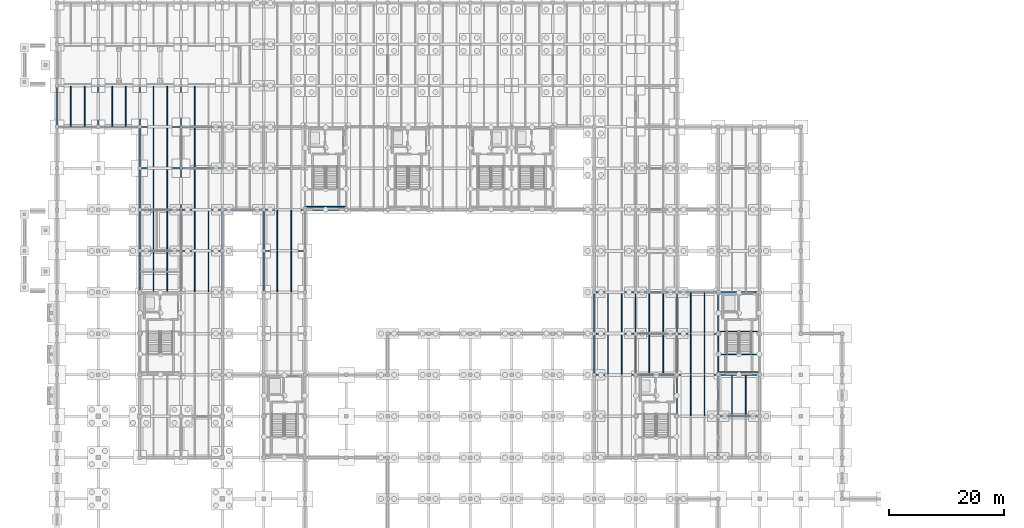
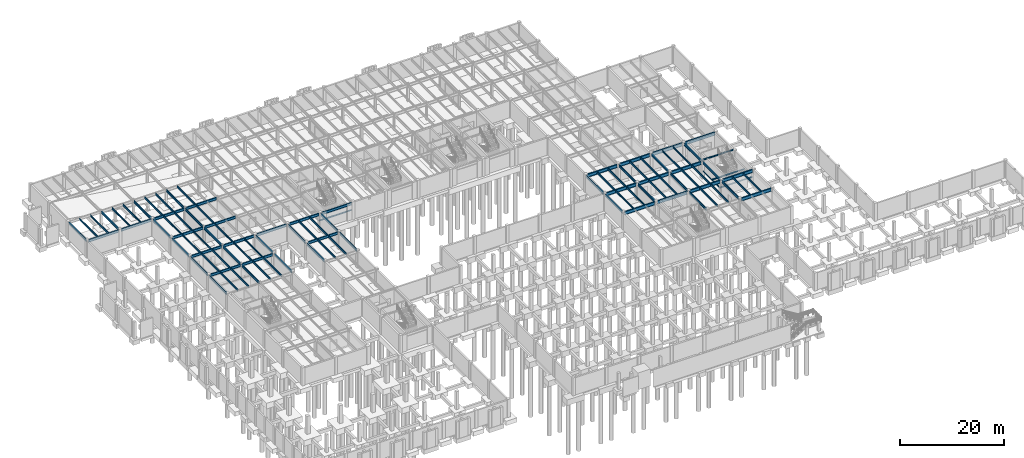
# One storey, part 24 of 46: 100 beams.
"""IFC4 building model written with IfcOpenShell, lengths in metres."""

from ifc_helpers import new_model, si_unit, direction, frame, origin, origin_2d, place, context, subcontext, project, spatial, i_section, extrude, material, material_profile, profile_set, type_object, element, save


model = new_model("IFC4")

# Units and contexts
model_context = context("Model", 3, precision=1e-05, world=origin(), true_north=direction((0.0, 1.0)))
body_context = subcontext(model_context, "Body", "Model", "MODEL_VIEW")
ifc_project = project(units=[si_unit("LENGTHUNIT", "METRE"), si_unit("AREAUNIT", "SQUARE_METRE"), si_unit("VOLUMEUNIT", "CUBIC_METRE"), si_unit("PLANEANGLEUNIT", "RADIAN"), si_unit("MASSUNIT", "GRAM", prefix="KILO")], contexts=[model_context])

# Site, building, storey
site_placement = place(None, origin())
site = spatial("IfcSite", under=ifc_project, at=site_placement, CompositionType="ELEMENT")
building_placement = place(site_placement, origin())
building = spatial("IfcBuilding", under=site, at=building_placement, Name="Sillqori Civic Hall", CompositionType="ELEMENT")
storey_placement = place(building_placement, frame((0.0, 0.0, -4.199951171875)))
storey = spatial("IfcBuildingStorey", under=building, at=storey_placement, Name="B01", CompositionType="ELEMENT", Elevation=-4.199951171875)

# Beams
ifc_material = material(Name="Steel ASTM A992", Category="steel")
ifc_material_profile_1 = material_profile(ifc_material, i_section(OverallWidth=0.2099609375, OverallDepth=0.532958984375, WebThickness=0.01025390625, FlangeThickness=0.015625, FilletRadius=0.013916015625, at=origin_2d()), Name="W21X62")
ifc_profile_set_1 = profile_set([ifc_material_profile_1], Name="Steel ASTM A992")
beam_type_1 = type_object("IfcBeamType", Name="BM-W21X62", PredefinedType="BEAM", material=ifc_profile_set_1)
beam_1_placement = place(storey_placement, frame((7.199951171875, 93.89404296875, 3.71337890625), z_axis=(0.0, 1.0, 0.0), x_axis=(-1.0, 0.0, 0.0)))
element("IfcBeam", 1, at=beam_1_placement, inside=storey, type_object=beam_type_1, Name="B01 girder Y 1-13", PredefinedType="BEAM", context=body_context, shape_type="SweptSolid", body=[
    extrude(i_section(OverallWidth=0.2099609375, OverallDepth=0.532958984375, WebThickness=0.01025390625, FlangeThickness=0.015625, FilletRadius=0.013916015625, at=origin_2d()), origin(), (0.0, 0.0, 1.0), 6.612060546875),
])
beam_2_placement = place(storey_placement, frame((14.39990234375, 93.89404296875, 3.71337890625), z_axis=(0.0, 1.0, 0.0), x_axis=(-1.0, 0.0, 0.0)))
element("IfcBeam", 2, at=beam_2_placement, inside=storey, type_object=beam_type_1, Name="B01 girder Y 2-13", PredefinedType="BEAM", context=body_context, shape_type="SweptSolid", body=[
    extrude(i_section(OverallWidth=0.2099609375, OverallDepth=0.532958984375, WebThickness=0.01025390625, FlangeThickness=0.015625, FilletRadius=0.013916015625, at=origin_2d()), origin(), (0.0, 0.0, 1.0), 6.7314453125),
])
for number, where, z_axis, x_axis, name in (
    (3, (21.60009765625, 65.093994140625, 3.71337890625), (0.0, 1.0, 0.0), (-1.0, 0.0, 0.0), "B01 girder Y 3-9"),
    (4, (21.60009765625, 72.2939453125, 3.71337890625), (0.0, 1.0, 0.0), (-1.0, 0.0, 0.0), "B01 girder Y 3-10"),
    (5, (21.60009765625, 79.493896484375, 3.71337890625), (0.0, 1.0, 0.0), (-1.0, 0.0, 0.0), "B01 girder Y 3-11"),
):
    element("IfcBeam", number, at=place(storey_placement, frame(where, z_axis=z_axis, x_axis=x_axis)), inside=storey, type_object=beam_type_1, Name=name, PredefinedType="BEAM", context=body_context, shape_type="SweptSolid", body=[
        extrude(i_section(OverallWidth=0.2099609375, OverallDepth=0.532958984375, WebThickness=0.01025390625, FlangeThickness=0.015625, FilletRadius=0.013916015625, at=origin_2d()), origin(), (0.0, 0.0, 1.0), 6.612060546875),
    ])
beam_3_placement = place(storey_placement, frame((21.60009765625, 86.694091796875, 3.71337890625), z_axis=(0.0, 1.0, 0.0), x_axis=(-1.0, 0.0, 0.0)))
element("IfcBeam", 6, at=beam_3_placement, inside=storey, type_object=beam_type_1, Name="B01 girder Y 3-12", PredefinedType="BEAM", context=body_context, shape_type="SweptSolid", body=[
    extrude(i_section(OverallWidth=0.2099609375, OverallDepth=0.532958984375, WebThickness=0.01025390625, FlangeThickness=0.015625, FilletRadius=0.013916015625, at=origin_2d()), origin(), (0.0, 0.0, 1.0), 6.61181640625),
])
beam_4_placement = place(storey_placement, frame((21.60009765625, 93.89404296875, 3.71337890625), z_axis=(0.0, 1.0, 0.0), x_axis=(-1.0, 0.0, 0.0)))
element("IfcBeam", 7, at=beam_4_placement, inside=storey, type_object=beam_type_1, Name="B01 girder Y 3-13", PredefinedType="BEAM", context=body_context, shape_type="SweptSolid", body=[
    extrude(i_section(OverallWidth=0.2099609375, OverallDepth=0.532958984375, WebThickness=0.01025390625, FlangeThickness=0.015625, FilletRadius=0.013916015625, at=origin_2d()), origin(), (0.0, 0.0, 1.0), 6.7314453125),
])
for number, where, z_axis, x_axis, name in (
    (8, (28.800048828125, 64.990966796875, 3.71337890625), (0.0, 1.0, 0.0), (-1.0, 0.0, 0.0), "B01 girder Y 4-9"),
    (9, (28.800048828125, 72.19091796875, 3.71337890625), (0.0, 1.0, 0.0), (-1.0, 0.0, 0.0), "B01 girder Y 4-10"),
):
    element("IfcBeam", number, at=place(storey_placement, frame(where, z_axis=z_axis, x_axis=x_axis)), inside=storey, type_object=beam_type_1, Name=name, PredefinedType="BEAM", context=body_context, shape_type="SweptSolid", body=[
        extrude(i_section(OverallWidth=0.2099609375, OverallDepth=0.532958984375, WebThickness=0.01025390625, FlangeThickness=0.015625, FilletRadius=0.013916015625, at=origin_2d()), origin(), (0.0, 0.0, 1.0), 6.818115234375),
    ])
beam_5_placement = place(storey_placement, frame((28.800048828125, 79.39111328125, 3.71337890625), z_axis=(0.0, 1.0, 0.0), x_axis=(-1.0, 0.0, 0.0)))
element("IfcBeam", 10, at=beam_5_placement, inside=storey, type_object=beam_type_1, Name="B01 girder Y 4-11", PredefinedType="BEAM", context=body_context, shape_type="SweptSolid", body=[
    extrude(i_section(OverallWidth=0.2099609375, OverallDepth=0.532958984375, WebThickness=0.01025390625, FlangeThickness=0.015625, FilletRadius=0.013916015625, at=origin_2d()), origin(), (0.0, 0.0, 1.0), 6.82177734375),
])
beam_6_placement = place(storey_placement, frame((28.800048828125, 86.5869140625, 3.71337890625), z_axis=(0.0, 1.0, 0.0), x_axis=(-1.0, 0.0, 0.0)))
element("IfcBeam", 11, at=beam_6_placement, inside=storey, type_object=beam_type_1, Name="B01 girder Y 4-12", PredefinedType="BEAM", context=body_context, shape_type="SweptSolid", body=[
    extrude(i_section(OverallWidth=0.2099609375, OverallDepth=0.532958984375, WebThickness=0.01025390625, FlangeThickness=0.015625, FilletRadius=0.013916015625, at=origin_2d()), origin(), (0.0, 0.0, 1.0), 6.826171875),
])
beam_7_placement = place(storey_placement, frame((28.800048828125, 93.787109375, 3.71337890625), z_axis=(0.0, 1.0, 0.0), x_axis=(-1.0, 0.0, 0.0)))
element("IfcBeam", 12, at=beam_7_placement, inside=storey, type_object=beam_type_1, Name="B01 girder Y 4-13", PredefinedType="BEAM", context=body_context, shape_type="SweptSolid", body=[
    extrude(i_section(OverallWidth=0.2099609375, OverallDepth=0.532958984375, WebThickness=0.01025390625, FlangeThickness=0.015625, FilletRadius=0.013916015625, at=origin_2d()), origin(), (0.0, 0.0, 1.0), 6.83837890625),
])
for number, where, z_axis, x_axis, name in (
    (13, (36.0, 65.093994140625, 3.71337890625), (0.0, 1.0, 0.0), (-1.0, 0.0, 0.0), "B01 girder Y 5-9"),
    (14, (36.0, 72.2939453125, 3.71337890625), (0.0, 1.0, 0.0), (-1.0, 0.0, 0.0), "B01 girder Y 5-10"),
    (15, (43.199951171875, 65.093994140625, 3.71337890625), (0.0, 1.0, 0.0), (-1.0, 0.0, 0.0), "B01 girder Y 6-9"),
    (16, (43.199951171875, 72.2939453125, 3.71337890625), (0.0, 1.0, 0.0), (-1.0, 0.0, 0.0), "B01 girder Y 6-10"),
    (17, (50.39990234375, 65.093994140625, 3.71337890625), (0.0, 1.0, 0.0), (-1.0, 0.0, 0.0), "B01 girder Y 7-9"),
    (18, (50.39990234375, 72.2939453125, 3.71337890625), (0.0, 1.0, 0.0), (-1.0, 0.0, 0.0), "B01 girder Y 7-10"),
):
    element("IfcBeam", number, at=place(storey_placement, frame(where, z_axis=z_axis, x_axis=x_axis)), inside=storey, type_object=beam_type_1, Name=name, PredefinedType="BEAM", context=body_context, shape_type="SweptSolid", body=[
        extrude(i_section(OverallWidth=0.2099609375, OverallDepth=0.532958984375, WebThickness=0.01025390625, FlangeThickness=0.015625, FilletRadius=0.013916015625, at=origin_2d()), origin(), (0.0, 0.0, 1.0), 6.612060546875),
    ])
beam_8_placement = place(storey_placement, frame((100.800048828125, 50.694091796875, 3.71337890625), z_axis=(0.0, 1.0, 0.0), x_axis=(-1.0, 0.0, 0.0)))
element("IfcBeam", 19, at=beam_8_placement, inside=storey, type_object=beam_type_1, Name="B01 girder Y 14-7", PredefinedType="BEAM", context=body_context, shape_type="SweptSolid", body=[
    extrude(i_section(OverallWidth=0.2099609375, OverallDepth=0.532958984375, WebThickness=0.01025390625, FlangeThickness=0.015625, FilletRadius=0.013916015625, at=origin_2d()), origin(), (0.0, 0.0, 1.0), 6.61181640625),
])
beam_9_placement = place(storey_placement, frame((100.800048828125, 57.89404296875, 3.71337890625), z_axis=(0.0, 1.0, 0.0), x_axis=(-1.0, 0.0, 0.0)))
element("IfcBeam", 20, at=beam_9_placement, inside=storey, type_object=beam_type_1, Name="B01 girder Y 14-8", PredefinedType="BEAM", context=body_context, shape_type="SweptSolid", body=[
    extrude(i_section(OverallWidth=0.2099609375, OverallDepth=0.532958984375, WebThickness=0.01025390625, FlangeThickness=0.015625, FilletRadius=0.013916015625, at=origin_2d()), origin(), (0.0, 0.0, 1.0), 6.612060546875),
])
beam_10_placement = place(storey_placement, frame((108.0, 50.694091796875, 3.71337890625), z_axis=(0.0, 1.0, 0.0), x_axis=(-1.0, 0.0, 0.0)))
element("IfcBeam", 21, at=beam_10_placement, inside=storey, type_object=beam_type_1, Name="B01 girder Y 15-7", PredefinedType="BEAM", context=body_context, shape_type="SweptSolid", body=[
    extrude(i_section(OverallWidth=0.2099609375, OverallDepth=0.532958984375, WebThickness=0.01025390625, FlangeThickness=0.015625, FilletRadius=0.013916015625, at=origin_2d()), origin(), (0.0, 0.0, 1.0), 6.61181640625),
])
for number, where, z_axis, x_axis, name in (
    (22, (108.0, 57.89404296875, 3.71337890625), (0.0, 1.0, 0.0), (-1.0, 0.0, 0.0), "B01 girder Y 15-8"),
    (23, (115.199951171875, 43.493896484375, 3.71337890625), (0.0, 1.0, 0.0), (-1.0, 0.0, 0.0), "B01 girder Y 16-6"),
):
    element("IfcBeam", number, at=place(storey_placement, frame(where, z_axis=z_axis, x_axis=x_axis)), inside=storey, type_object=beam_type_1, Name=name, PredefinedType="BEAM", context=body_context, shape_type="SweptSolid", body=[
        extrude(i_section(OverallWidth=0.2099609375, OverallDepth=0.532958984375, WebThickness=0.01025390625, FlangeThickness=0.015625, FilletRadius=0.013916015625, at=origin_2d()), origin(), (0.0, 0.0, 1.0), 6.612060546875),
    ])
beam_11_placement = place(storey_placement, frame((115.199951171875, 50.694091796875, 3.71337890625), z_axis=(0.0, 1.0, 0.0), x_axis=(-1.0, 0.0, 0.0)))
element("IfcBeam", 24, at=beam_11_placement, inside=storey, type_object=beam_type_1, Name="B01 girder Y 16-7", PredefinedType="BEAM", context=body_context, shape_type="SweptSolid", body=[
    extrude(i_section(OverallWidth=0.2099609375, OverallDepth=0.532958984375, WebThickness=0.01025390625, FlangeThickness=0.015625, FilletRadius=0.013916015625, at=origin_2d()), origin(), (0.0, 0.0, 1.0), 6.61181640625),
])
for number, where, z_axis, x_axis, name in (
    (25, (115.199951171875, 57.89404296875, 3.71337890625), (0.0, 1.0, 0.0), (-1.0, 0.0, 0.0), "B01 girder Y 16-8"),
    (26, (122.39990234375, 43.493896484375, 3.71337890625), (0.0, 1.0, 0.0), (-1.0, 0.0, 0.0), "B01 girder Y 17-6"),
):
    element("IfcBeam", number, at=place(storey_placement, frame(where, z_axis=z_axis, x_axis=x_axis)), inside=storey, type_object=beam_type_1, Name=name, PredefinedType="BEAM", context=body_context, shape_type="SweptSolid", body=[
        extrude(i_section(OverallWidth=0.2099609375, OverallDepth=0.532958984375, WebThickness=0.01025390625, FlangeThickness=0.015625, FilletRadius=0.013916015625, at=origin_2d()), origin(), (0.0, 0.0, 1.0), 6.612060546875),
    ])
beam_12_placement = place(storey_placement, frame((122.39990234375, 50.694091796875, 3.71337890625), z_axis=(0.0, 1.0, 0.0), x_axis=(-1.0, 0.0, 0.0)))
element("IfcBeam", 27, at=beam_12_placement, inside=storey, type_object=beam_type_1, Name="B01 girder Y 17-7", PredefinedType="BEAM", context=body_context, shape_type="SweptSolid", body=[
    extrude(i_section(OverallWidth=0.2099609375, OverallDepth=0.532958984375, WebThickness=0.01025390625, FlangeThickness=0.015625, FilletRadius=0.013916015625, at=origin_2d()), origin(), (0.0, 0.0, 1.0), 6.61181640625),
])
beam_13_placement = place(storey_placement, frame((122.39990234375, 57.89404296875, 3.71337890625), z_axis=(0.0, 1.0, 0.0), x_axis=(-1.0, 0.0, 0.0)))
element("IfcBeam", 28, at=beam_13_placement, inside=storey, type_object=beam_type_1, Name="B01 girder Y 17-8", PredefinedType="BEAM", context=body_context, shape_type="SweptSolid", body=[
    extrude(i_section(OverallWidth=0.2099609375, OverallDepth=0.532958984375, WebThickness=0.01025390625, FlangeThickness=0.015625, FilletRadius=0.013916015625, at=origin_2d()), origin(), (0.0, 0.0, 1.0), 6.612060546875),
])
ifc_material_profile_2 = material_profile(ifc_material, i_section(OverallWidth=0.22802734375, OverallDepth=0.60205078125, WebThickness=0.010498046875, FlangeThickness=0.014892578125, FilletRadius=0.014892578125, at=origin_2d()), Name="W24X68")
ifc_profile_set_2 = profile_set([ifc_material_profile_2], Name="Steel ASTM A992")
beam_type_2 = type_object("IfcBeamType", Name="BM-W24X68", PredefinedType="BEAM", material=ifc_profile_set_2)
beam_14_placement = place(storey_placement, frame((7.493896484375, 93.60009765625, 3.678955078125), z_axis=(1.0, 0.0, 0.0), x_axis=(0.0, 1.0, 0.0)))
element("IfcBeam", 29, at=beam_14_placement, inside=storey, type_object=beam_type_2, Name="B01 girder X 1-13", PredefinedType="BEAM", context=body_context, shape_type="SweptSolid", body=[
    extrude(i_section(OverallWidth=0.22802734375, OverallDepth=0.60205078125, WebThickness=0.010498046875, FlangeThickness=0.014892578125, FilletRadius=0.014892578125, at=origin_2d()), origin(), (0.0, 0.0, 1.0), 6.612060546875),
])
beam_15_placement = place(storey_placement, frame((14.694091796875, 93.60009765625, 3.678955078125), z_axis=(1.0, 0.0, 0.0), x_axis=(0.0, 1.0, 0.0)))
element("IfcBeam", 30, at=beam_15_placement, inside=storey, type_object=beam_type_2, Name="B01 girder X 2-13", PredefinedType="BEAM", context=body_context, shape_type="SweptSolid", body=[
    extrude(i_section(OverallWidth=0.22802734375, OverallDepth=0.60205078125, WebThickness=0.010498046875, FlangeThickness=0.014892578125, FilletRadius=0.014892578125, at=origin_2d()), origin(), (0.0, 0.0, 1.0), 6.61181640625),
])
for number, where, z_axis, x_axis, name in (
    (31, (21.89404296875, 72.0, 3.678955078125), (1.0, 0.0, 0.0), (0.0, 1.0, 0.0), "B01 girder X 3-10"),
    (32, (21.89404296875, 79.199951171875, 3.678955078125), (1.0, 0.0, 0.0), (0.0, 1.0, 0.0), "B01 girder X 3-11"),
    (33, (21.89404296875, 86.39990234375, 3.678955078125), (1.0, 0.0, 0.0), (0.0, 1.0, 0.0), "B01 girder X 3-12"),
    (34, (21.89404296875, 93.60009765625, 3.678955078125), (1.0, 0.0, 0.0), (0.0, 1.0, 0.0), "B01 girder X 3-13"),
):
    element("IfcBeam", number, at=place(storey_placement, frame(where, z_axis=z_axis, x_axis=x_axis)), inside=storey, type_object=beam_type_2, Name=name, PredefinedType="BEAM", context=body_context, shape_type="SweptSolid", body=[
        extrude(i_section(OverallWidth=0.22802734375, OverallDepth=0.60205078125, WebThickness=0.010498046875, FlangeThickness=0.014892578125, FilletRadius=0.014892578125, at=origin_2d()), origin(), (0.0, 0.0, 1.0), 6.71240234375),
    ])
for number, where, z_axis, x_axis, name in (
    (35, (28.993408203125, 72.0, 3.678955078125), (1.0, 0.0, 0.0), (0.0, 1.0, 0.0), "B01 girder X 4-10"),
    (36, (28.993408203125, 79.199951171875, 3.678955078125), (1.0, 0.0, 0.0), (0.0, 1.0, 0.0), "B01 girder X 4-11"),
):
    element("IfcBeam", number, at=place(storey_placement, frame(where, z_axis=z_axis, x_axis=x_axis)), inside=storey, type_object=beam_type_2, Name=name, PredefinedType="BEAM", context=body_context, shape_type="SweptSolid", body=[
        extrude(i_section(OverallWidth=0.22802734375, OverallDepth=0.60205078125, WebThickness=0.010498046875, FlangeThickness=0.014892578125, FilletRadius=0.014892578125, at=origin_2d()), origin(), (0.0, 0.0, 1.0), 6.712646484375),
    ])
for number, where, z_axis, x_axis, name in (
    (37, (28.993408203125, 86.39990234375, 3.678955078125), (1.0, 0.0, 0.0), (0.0, 1.0, 0.0), "B01 girder X 4-12"),
    (38, (28.993408203125, 93.60009765625, 3.678955078125), (1.0, 0.0, 0.0), (0.0, 1.0, 0.0), "B01 girder X 4-13"),
):
    element("IfcBeam", number, at=place(storey_placement, frame(where, z_axis=z_axis, x_axis=x_axis)), inside=storey, type_object=beam_type_2, Name=name, PredefinedType="BEAM", context=body_context, shape_type="SweptSolid", body=[
        extrude(i_section(OverallWidth=0.22802734375, OverallDepth=0.60205078125, WebThickness=0.010498046875, FlangeThickness=0.014892578125, FilletRadius=0.014892578125, at=origin_2d()), origin(), (0.0, 0.0, 1.0), 6.81298828125),
    ])
for number, where, z_axis, x_axis, name in (
    (39, (36.2939453125, 79.199951171875, 3.678955078125), (1.0, 0.0, 0.0), (0.0, 1.0, 0.0), "B01 girder X 5-11"),
    (40, (43.493896484375, 72.0, 3.678955078125), (1.0, 0.0, 0.0), (0.0, 1.0, 0.0), "B01 girder X 6-10"),
    (41, (43.493896484375, 79.199951171875, 3.678955078125), (1.0, 0.0, 0.0), (0.0, 1.0, 0.0), "B01 girder X 6-11"),
):
    element("IfcBeam", number, at=place(storey_placement, frame(where, z_axis=z_axis, x_axis=x_axis)), inside=storey, type_object=beam_type_2, Name=name, PredefinedType="BEAM", context=body_context, shape_type="SweptSolid", body=[
        extrude(i_section(OverallWidth=0.22802734375, OverallDepth=0.60205078125, WebThickness=0.010498046875, FlangeThickness=0.014892578125, FilletRadius=0.014892578125, at=origin_2d()), origin(), (0.0, 0.0, 1.0), 6.612060546875),
    ])
beam_16_placement = place(storey_placement, frame((50.694091796875, 79.199951171875, 3.678955078125), z_axis=(1.0, 0.0, 0.0), x_axis=(0.0, 1.0, 0.0)))
element("IfcBeam", 42, at=beam_16_placement, inside=storey, type_object=beam_type_2, Name="B01 girder X 7-11", PredefinedType="BEAM", context=body_context, shape_type="SweptSolid", body=[
    extrude(i_section(OverallWidth=0.22802734375, OverallDepth=0.60205078125, WebThickness=0.010498046875, FlangeThickness=0.014892578125, FilletRadius=0.014892578125, at=origin_2d()), origin(), (0.0, 0.0, 1.0), 6.61181640625),
])
ifc_material_profile_3 = material_profile(ifc_material, i_section(OverallWidth=0.26708984375, OverallDepth=0.761962890625, WebThickness=0.014404296875, FlangeThickness=0.021484375, FilletRadius=0.01708984375, at=origin_2d()), Name="W30X116")
ifc_profile_set_3 = profile_set([ifc_material_profile_3], Name="Steel ASTM A992")
beam_type_3 = type_object("IfcBeamType", Name="BM-W30X116", PredefinedType="BEAM", material=ifc_profile_set_3)
for number, where, z_axis, x_axis, name in (
    (43, (101.093994140625, 50.39990234375, 3.598876953125), (1.0, 0.0, 0.0), (0.0, 1.0, 0.0), "B01 girder X 14-7"),
    (44, (101.093994140625, 57.60009765625, 3.598876953125), (1.0, 0.0, 0.0), (0.0, 1.0, 0.0), "B01 girder X 14-8"),
    (45, (101.093994140625, 64.800048828125, 3.598876953125), (1.0, 0.0, 0.0), (0.0, 1.0, 0.0), "B01 girder X 14-9"),
    (46, (108.2939453125, 50.39990234375, 3.598876953125), (1.0, 0.0, 0.0), (0.0, 1.0, 0.0), "B01 girder X 15-7"),
    (47, (108.2939453125, 57.60009765625, 3.598876953125), (1.0, 0.0, 0.0), (0.0, 1.0, 0.0), "B01 girder X 15-8"),
    (48, (108.2939453125, 64.800048828125, 3.598876953125), (1.0, 0.0, 0.0), (0.0, 1.0, 0.0), "B01 girder X 15-9"),
    (49, (115.493896484375, 50.39990234375, 3.598876953125), (1.0, 0.0, 0.0), (0.0, 1.0, 0.0), "B01 girder X 16-7"),
    (50, (115.493896484375, 57.60009765625, 3.598876953125), (1.0, 0.0, 0.0), (0.0, 1.0, 0.0), "B01 girder X 16-8"),
    (51, (115.493896484375, 64.800048828125, 3.598876953125), (1.0, 0.0, 0.0), (0.0, 1.0, 0.0), "B01 girder X 16-9"),
):
    element("IfcBeam", number, at=place(storey_placement, frame(where, z_axis=z_axis, x_axis=x_axis)), inside=storey, type_object=beam_type_3, Name=name, PredefinedType="BEAM", context=body_context, shape_type="SweptSolid", body=[
        extrude(i_section(OverallWidth=0.26708984375, OverallDepth=0.761962890625, WebThickness=0.014404296875, FlangeThickness=0.021484375, FilletRadius=0.01708984375, at=origin_2d()), origin(), (0.0, 0.0, 1.0), 6.612060546875),
    ])
for number, where, z_axis, x_axis, name in (
    (52, (122.694091796875, 43.199951171875, 3.598876953125), (1.0, 0.0, 0.0), (0.0, 1.0, 0.0), "B01 girder X 17-6"),
    (53, (122.694091796875, 50.39990234375, 3.598876953125), (1.0, 0.0, 0.0), (0.0, 1.0, 0.0), "B01 girder X 17-7"),
    (54, (122.694091796875, 64.800048828125, 3.598876953125), (1.0, 0.0, 0.0), (0.0, 1.0, 0.0), "B01 girder X 17-9"),
):
    element("IfcBeam", number, at=place(storey_placement, frame(where, z_axis=z_axis, x_axis=x_axis)), inside=storey, type_object=beam_type_3, Name=name, PredefinedType="BEAM", context=body_context, shape_type="SweptSolid", body=[
        extrude(i_section(OverallWidth=0.26708984375, OverallDepth=0.761962890625, WebThickness=0.014404296875, FlangeThickness=0.021484375, FilletRadius=0.01708984375, at=origin_2d()), origin(), (0.0, 0.0, 1.0), 6.61181640625),
    ])
ifc_material_profile_4 = material_profile(ifc_material, i_section(OverallWidth=0.153076171875, OverallDepth=0.455078125, WebThickness=0.008056640625, FlangeThickness=0.01318359375, FilletRadius=0.012939453125, at=origin_2d()), Name="W18X40")
ifc_profile_set_4 = profile_set([ifc_material_profile_4], Name="Steel ASTM A992")
beam_type_4 = type_object("IfcBeamType", Name="JS-W18X40", PredefinedType="JOIST", material=ifc_profile_set_4)
for number, where, z_axis, x_axis, name in (
    (55, (9.60009765625, 93.695068359375, 3.75244140625), (0.0, 1.0, 0.0), (-1.0, 0.0, 0.0), "B01 composite joist 1-13.1"),
    (56, (12.0, 93.695068359375, 3.75244140625), (0.0, 1.0, 0.0), (-1.0, 0.0, 0.0), "B01 composite joist 1-13.2"),
    (57, (16.800048828125, 93.695068359375, 3.75244140625), (0.0, 1.0, 0.0), (-1.0, 0.0, 0.0), "B01 composite joist 2-13.1"),
    (58, (19.199951171875, 93.695068359375, 3.75244140625), (0.0, 1.0, 0.0), (-1.0, 0.0, 0.0), "B01 composite joist 2-13.2"),
    (59, (24.0, 64.89501953125, 3.75244140625), (0.0, 1.0, 0.0), (-1.0, 0.0, 0.0), "B01 composite joist 3-9.1"),
    (60, (26.39990234375, 64.89501953125, 3.75244140625), (0.0, 1.0, 0.0), (-1.0, 0.0, 0.0), "B01 composite joist 3-9.2"),
    (61, (24.0, 72.094970703125, 3.75244140625), (0.0, 1.0, 0.0), (-1.0, 0.0, 0.0), "B01 composite joist 3-10.1"),
    (62, (26.39990234375, 72.094970703125, 3.75244140625), (0.0, 1.0, 0.0), (-1.0, 0.0, 0.0), "B01 composite joist 3-10.2"),
    (63, (24.0, 79.294921875, 3.75244140625), (0.0, 1.0, 0.0), (-1.0, 0.0, 0.0), "B01 composite joist 3-11.1"),
    (64, (26.39990234375, 79.294921875, 3.75244140625), (0.0, 1.0, 0.0), (-1.0, 0.0, 0.0), "B01 composite joist 3-11.2"),
):
    element("IfcBeam", number, at=place(storey_placement, frame(where, z_axis=z_axis, x_axis=x_axis)), inside=storey, type_object=beam_type_4, Name=name, PredefinedType="JOIST", context=body_context, shape_type="SweptSolid", body=[
        extrude(i_section(OverallWidth=0.153076171875, OverallDepth=0.455078125, WebThickness=0.008056640625, FlangeThickness=0.01318359375, FilletRadius=0.012939453125, at=origin_2d()), origin(), (0.0, 0.0, 1.0), 7.010009765625),
    ])
for number, where, z_axis, x_axis, name in (
    (65, (24.0, 86.4951171875, 3.75244140625), (0.0, 1.0, 0.0), (-1.0, 0.0, 0.0), "B01 composite joist 3-12.1"),
    (66, (26.39990234375, 86.4951171875, 3.75244140625), (0.0, 1.0, 0.0), (-1.0, 0.0, 0.0), "B01 composite joist 3-12.2"),
):
    element("IfcBeam", number, at=place(storey_placement, frame(where, z_axis=z_axis, x_axis=x_axis)), inside=storey, type_object=beam_type_4, Name=name, PredefinedType="JOIST", context=body_context, shape_type="SweptSolid", body=[
        extrude(i_section(OverallWidth=0.153076171875, OverallDepth=0.455078125, WebThickness=0.008056640625, FlangeThickness=0.01318359375, FilletRadius=0.012939453125, at=origin_2d()), origin(), (0.0, 0.0, 1.0), 7.009765625),
    ])
for number, where, z_axis, x_axis, name in (
    (67, (24.0, 93.695068359375, 3.75244140625), (0.0, 1.0, 0.0), (-1.0, 0.0, 0.0), "B01 composite joist 3-13.1"),
    (68, (26.39990234375, 93.695068359375, 3.75244140625), (0.0, 1.0, 0.0), (-1.0, 0.0, 0.0), "B01 composite joist 3-13.2"),
    (69, (31.199951171875, 64.89501953125, 3.75244140625), (0.0, 1.0, 0.0), (-1.0, 0.0, 0.0), "B01 composite joist 4-9.1"),
    (70, (33.60009765625, 64.89501953125, 3.75244140625), (0.0, 1.0, 0.0), (-1.0, 0.0, 0.0), "B01 composite joist 4-9.2"),
    (71, (31.199951171875, 72.094970703125, 3.75244140625), (0.0, 1.0, 0.0), (-1.0, 0.0, 0.0), "B01 composite joist 4-10.1"),
    (72, (33.60009765625, 72.094970703125, 3.75244140625), (0.0, 1.0, 0.0), (-1.0, 0.0, 0.0), "B01 composite joist 4-10.2"),
    (73, (31.199951171875, 79.294921875, 3.75244140625), (0.0, 1.0, 0.0), (-1.0, 0.0, 0.0), "B01 composite joist 4-11.1"),
):
    element("IfcBeam", number, at=place(storey_placement, frame(where, z_axis=z_axis, x_axis=x_axis)), inside=storey, type_object=beam_type_4, Name=name, PredefinedType="JOIST", context=body_context, shape_type="SweptSolid", body=[
        extrude(i_section(OverallWidth=0.153076171875, OverallDepth=0.455078125, WebThickness=0.008056640625, FlangeThickness=0.01318359375, FilletRadius=0.012939453125, at=origin_2d()), origin(), (0.0, 0.0, 1.0), 7.010009765625),
    ])
beam_17_placement = place(storey_placement, frame((31.199951171875, 86.4951171875, 3.75244140625), z_axis=(0.0, 1.0, 0.0), x_axis=(-1.0, 0.0, 0.0)))
element("IfcBeam", 74, at=beam_17_placement, inside=storey, type_object=beam_type_4, Name="B01 composite joist 4-12.1", PredefinedType="JOIST", context=body_context, shape_type="SweptSolid", body=[
    extrude(i_section(OverallWidth=0.153076171875, OverallDepth=0.455078125, WebThickness=0.008056640625, FlangeThickness=0.01318359375, FilletRadius=0.012939453125, at=origin_2d()), origin(), (0.0, 0.0, 1.0), 7.009765625),
])
for number, where, z_axis, x_axis, name in (
    (75, (31.199951171875, 93.695068359375, 3.75244140625), (0.0, 1.0, 0.0), (-1.0, 0.0, 0.0), "B01 composite joist 4-13.1"),
    (76, (45.60009765625, 64.89501953125, 3.75244140625), (0.0, 1.0, 0.0), (-1.0, 0.0, 0.0), "B01 composite joist 6-9.1"),
    (77, (48.0, 64.89501953125, 3.75244140625), (0.0, 1.0, 0.0), (-1.0, 0.0, 0.0), "B01 composite joist 6-9.2"),
    (78, (45.60009765625, 72.094970703125, 3.75244140625), (0.0, 1.0, 0.0), (-1.0, 0.0, 0.0), "B01 composite joist 6-10.1"),
    (79, (48.0, 72.094970703125, 3.75244140625), (0.0, 1.0, 0.0), (-1.0, 0.0, 0.0), "B01 composite joist 6-10.2"),
):
    element("IfcBeam", number, at=place(storey_placement, frame(where, z_axis=z_axis, x_axis=x_axis)), inside=storey, type_object=beam_type_4, Name=name, PredefinedType="JOIST", context=body_context, shape_type="SweptSolid", body=[
        extrude(i_section(OverallWidth=0.153076171875, OverallDepth=0.455078125, WebThickness=0.008056640625, FlangeThickness=0.01318359375, FilletRadius=0.012939453125, at=origin_2d()), origin(), (0.0, 0.0, 1.0), 7.010009765625),
    ])
for number, where, z_axis, x_axis, name in (
    (80, (103.199951171875, 50.4951171875, 3.75244140625), (0.0, 1.0, 0.0), (-1.0, 0.0, 0.0), "B01 composite joist 14-7.1"),
    (81, (105.60009765625, 50.4951171875, 3.75244140625), (0.0, 1.0, 0.0), (-1.0, 0.0, 0.0), "B01 composite joist 14-7.2"),
):
    element("IfcBeam", number, at=place(storey_placement, frame(where, z_axis=z_axis, x_axis=x_axis)), inside=storey, type_object=beam_type_4, Name=name, PredefinedType="JOIST", context=body_context, shape_type="SweptSolid", body=[
        extrude(i_section(OverallWidth=0.153076171875, OverallDepth=0.455078125, WebThickness=0.008056640625, FlangeThickness=0.01318359375, FilletRadius=0.012939453125, at=origin_2d()), origin(), (0.0, 0.0, 1.0), 7.009765625),
    ])
for number, where, z_axis, x_axis, name in (
    (82, (103.199951171875, 57.695068359375, 3.75244140625), (0.0, 1.0, 0.0), (-1.0, 0.0, 0.0), "B01 composite joist 14-8.1"),
    (83, (105.60009765625, 57.695068359375, 3.75244140625), (0.0, 1.0, 0.0), (-1.0, 0.0, 0.0), "B01 composite joist 14-8.2"),
):
    element("IfcBeam", number, at=place(storey_placement, frame(where, z_axis=z_axis, x_axis=x_axis)), inside=storey, type_object=beam_type_4, Name=name, PredefinedType="JOIST", context=body_context, shape_type="SweptSolid", body=[
        extrude(i_section(OverallWidth=0.153076171875, OverallDepth=0.455078125, WebThickness=0.008056640625, FlangeThickness=0.01318359375, FilletRadius=0.012939453125, at=origin_2d()), origin(), (0.0, 0.0, 1.0), 7.010009765625),
    ])
for number, where, z_axis, x_axis, name in (
    (84, (110.39990234375, 50.4951171875, 3.75244140625), (0.0, 1.0, 0.0), (-1.0, 0.0, 0.0), "B01 composite joist 15-7.1"),
    (85, (112.800048828125, 50.4951171875, 3.75244140625), (0.0, 1.0, 0.0), (-1.0, 0.0, 0.0), "B01 composite joist 15-7.2"),
):
    element("IfcBeam", number, at=place(storey_placement, frame(where, z_axis=z_axis, x_axis=x_axis)), inside=storey, type_object=beam_type_4, Name=name, PredefinedType="JOIST", context=body_context, shape_type="SweptSolid", body=[
        extrude(i_section(OverallWidth=0.153076171875, OverallDepth=0.455078125, WebThickness=0.008056640625, FlangeThickness=0.01318359375, FilletRadius=0.012939453125, at=origin_2d()), origin(), (0.0, 0.0, 1.0), 7.009765625),
    ])
for number, where, z_axis, x_axis, name in (
    (86, (110.39990234375, 57.695068359375, 3.75244140625), (0.0, 1.0, 0.0), (-1.0, 0.0, 0.0), "B01 composite joist 15-8.1"),
    (87, (112.800048828125, 57.695068359375, 3.75244140625), (0.0, 1.0, 0.0), (-1.0, 0.0, 0.0), "B01 composite joist 15-8.2"),
    (88, (117.60009765625, 43.294921875, 3.75244140625), (0.0, 1.0, 0.0), (-1.0, 0.0, 0.0), "B01 composite joist 16-6.1"),
    (89, (120.0, 43.294921875, 3.75244140625), (0.0, 1.0, 0.0), (-1.0, 0.0, 0.0), "B01 composite joist 16-6.2"),
):
    element("IfcBeam", number, at=place(storey_placement, frame(where, z_axis=z_axis, x_axis=x_axis)), inside=storey, type_object=beam_type_4, Name=name, PredefinedType="JOIST", context=body_context, shape_type="SweptSolid", body=[
        extrude(i_section(OverallWidth=0.153076171875, OverallDepth=0.455078125, WebThickness=0.008056640625, FlangeThickness=0.01318359375, FilletRadius=0.012939453125, at=origin_2d()), origin(), (0.0, 0.0, 1.0), 7.010009765625),
    ])
for number, where, z_axis, x_axis, name in (
    (90, (117.60009765625, 50.4951171875, 3.75244140625), (0.0, 1.0, 0.0), (-1.0, 0.0, 0.0), "B01 composite joist 16-7.1"),
    (91, (120.0, 50.4951171875, 3.75244140625), (0.0, 1.0, 0.0), (-1.0, 0.0, 0.0), "B01 composite joist 16-7.2"),
):
    element("IfcBeam", number, at=place(storey_placement, frame(where, z_axis=z_axis, x_axis=x_axis)), inside=storey, type_object=beam_type_4, Name=name, PredefinedType="JOIST", context=body_context, shape_type="SweptSolid", body=[
        extrude(i_section(OverallWidth=0.153076171875, OverallDepth=0.455078125, WebThickness=0.008056640625, FlangeThickness=0.01318359375, FilletRadius=0.012939453125, at=origin_2d()), origin(), (0.0, 0.0, 1.0), 7.009765625),
    ])
for number, where, z_axis, x_axis, name in (
    (92, (117.60009765625, 57.695068359375, 3.75244140625), (0.0, 1.0, 0.0), (-1.0, 0.0, 0.0), "B01 composite joist 16-8.1"),
    (93, (120.0, 57.695068359375, 3.75244140625), (0.0, 1.0, 0.0), (-1.0, 0.0, 0.0), "B01 composite joist 16-8.2"),
    (94, (124.800048828125, 43.294921875, 3.75244140625), (0.0, 1.0, 0.0), (-1.0, 0.0, 0.0), "B01 composite joist 17-6.1"),
    (95, (127.199951171875, 43.294921875, 3.75244140625), (0.0, 1.0, 0.0), (-1.0, 0.0, 0.0), "B01 composite joist 17-6.2"),
):
    element("IfcBeam", number, at=place(storey_placement, frame(where, z_axis=z_axis, x_axis=x_axis)), inside=storey, type_object=beam_type_4, Name=name, PredefinedType="JOIST", context=body_context, shape_type="SweptSolid", body=[
        extrude(i_section(OverallWidth=0.153076171875, OverallDepth=0.455078125, WebThickness=0.008056640625, FlangeThickness=0.01318359375, FilletRadius=0.012939453125, at=origin_2d()), origin(), (0.0, 0.0, 1.0), 7.010009765625),
    ])
ifc_material_profile_5 = material_profile(ifc_material, i_section(OverallWidth=0.133056640625, OverallDepth=0.20703125, WebThickness=0.005859375, FlangeThickness=0.00830078125, FilletRadius=0.008056640625, at=origin_2d()), Name="W8X18")
ifc_profile_set_5 = profile_set([ifc_material_profile_5], Name="Steel ASTM A992")
beam_type_5 = type_object("IfcBeamType", Name="LN-W8X18", PredefinedType="LINTEL", material=ifc_profile_set_5)
beam_18_placement = place(storey_placement, frame((122.39990234375, 50.694091796875, 1.782470703125), z_axis=(0.0, 1.0, 0.0), x_axis=(-1.0, 0.0, 0.0)))
element("IfcBeam", 96, at=beam_18_placement, inside=storey, type_object=beam_type_5, Name="B01 grid 17 stair landing stringer 1", PredefinedType="LINTEL", context=body_context, shape_type="SweptSolid", body=[
    extrude(i_section(OverallWidth=0.133056640625, OverallDepth=0.20703125, WebThickness=0.005859375, FlangeThickness=0.00830078125, FilletRadius=0.008056640625, at=origin_2d()), origin(), (0.0, 0.0, 1.0), 6.61181640625),
])
for number, where, z_axis, x_axis, name in (
    (97, (122.449951171875, 50.89501953125, 1.782470703125), (1.0, 0.0, 0.0), (0.0, 1.0, 0.0), "B01 C2 stair half-landing steel ledger 1.1"),
    (98, (122.449951171875, 53.949951171875, 1.782470703125), (1.0, 0.0, 0.0), (0.0, 1.0, 0.0), "B01 C2 stair half-landing steel ledger 1.2"),
    (99, (122.449951171875, 57.969970703125, 3.882568359375), (1.0, 0.0, 0.0), (0.0, 1.0, 0.0), "B01 C2 stair upper arrival steel trimmer"),
    (100, (50.449951171875, 79.695068359375, 1.782470703125), (1.0, 0.0, 0.0), (0.0, 1.0, 0.0), "B01 C5 stair half-landing steel ledger 1.1"),
):
    element("IfcBeam", number, at=place(storey_placement, frame(where, z_axis=z_axis, x_axis=x_axis)), inside=storey, type_object=beam_type_5, Name=name, PredefinedType="LINTEL", context=body_context, shape_type="SweptSolid", body=[
        extrude(i_section(OverallWidth=0.133056640625, OverallDepth=0.20703125, WebThickness=0.005859375, FlangeThickness=0.00830078125, FilletRadius=0.008056640625, at=origin_2d()), origin(), (0.0, 0.0, 1.0), 7.10009765625),
    ])

save(model, "model.ifc")
